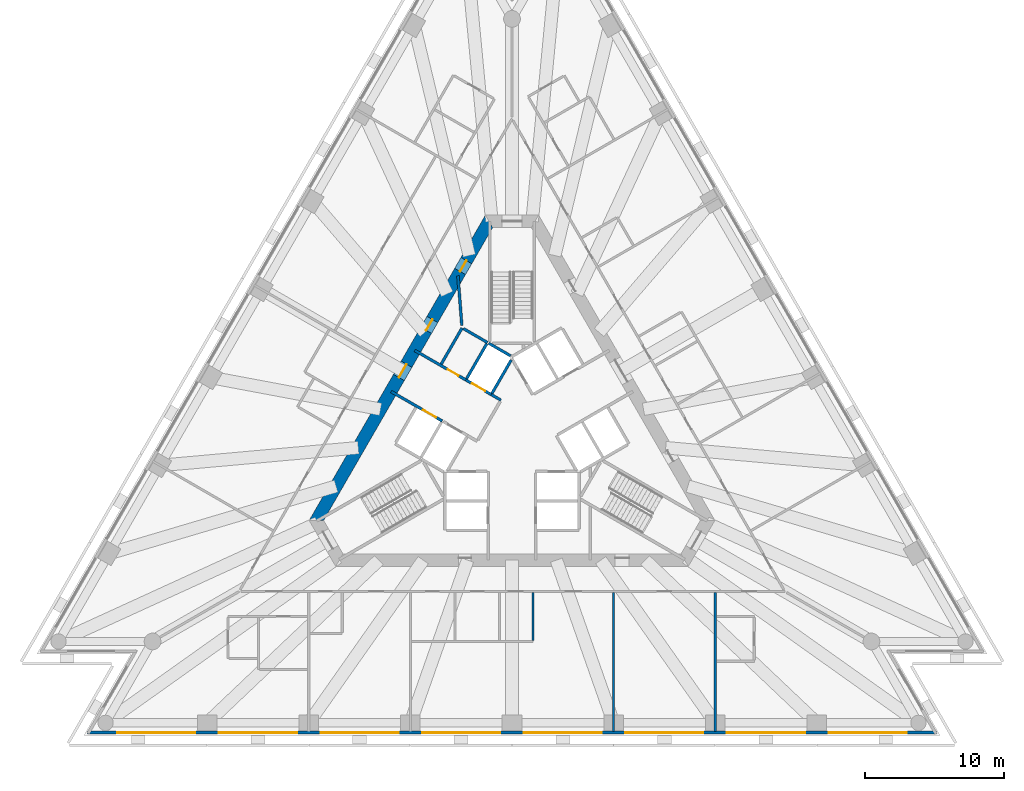
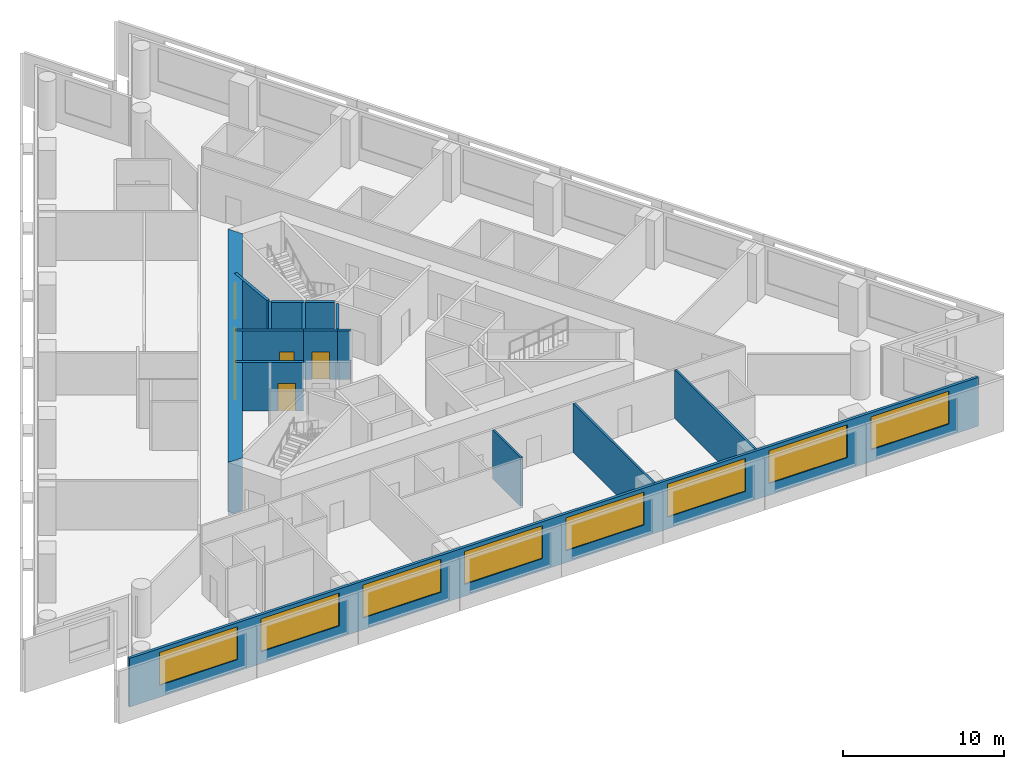
# One storey, part 4 of 11: 15 walls, 8 windows, 6 doors, 14 openings.
"""IFC4 building model written with IfcOpenShell, lengths in metres."""

from ifc_helpers import new_model, si_unit, direction, frame, frame_2d, origin, place, context, subcontext, project, spatial, polyline, rectangle, outline, extrude, material, layer, layer_set, layer_usage, type_object, element, fill, save


model = new_model("IFC4")

# Units and contexts
model_context = context("Model", 3, precision=1e-05, world=origin(), true_north=direction((0.0, 1.0)))
body_context = subcontext(model_context, "Body", "Model", "MODEL_VIEW")
ifc_project = project(units=[si_unit("LENGTHUNIT", "METRE"), si_unit("AREAUNIT", "SQUARE_METRE"), si_unit("VOLUMEUNIT", "CUBIC_METRE"), si_unit("PLANEANGLEUNIT", "RADIAN"), si_unit("MASSUNIT", "GRAM", prefix="KILO")], contexts=[model_context])

# Site, building, storey
site_placement = place(None, origin())
site = spatial("IfcSite", under=ifc_project, at=site_placement, CompositionType="ELEMENT")
building_placement = place(site_placement, origin())
building = spatial("IfcBuilding", under=site, at=building_placement, Name="Triada Interchange Tower", CompositionType="ELEMENT")
storey_placement = place(building_placement, frame((0.0, 0.0, 79.300048828125)))
storey = spatial("IfcBuildingStorey", under=building, at=storey_placement, Name="L17", CompositionType="ELEMENT", Elevation=79.300048828125)

# Wall, opening, door
ifc_material_1 = material(Name="Concrete C30/37", Category="concrete")
ifc_layer_1 = layer(ifc_material_1, 0.199951171875)
ifc_layer_set_1 = layer_set([ifc_layer_1], Name="CORE WALL 200 EI 180")
wall_type_1 = type_object("IfcWallType", Name="CORE WALL 200 EI 180", PredefinedType="SOLIDWALL", material=ifc_layer_set_1)
wall_1_placement = place(storey_placement, frame((-8.669921875, 3.04296875, 0.0), z_axis=(0.0, 0.0, 1.0), x_axis=(0.866029956157, -0.499992114976, 0.0)))
wall_1 = element("IfcWall", 1, at=wall_1_placement, inside=storey, type_object=wall_type_1, Name="Wall L15 74", PredefinedType="SOLIDWALL", context=body_context, shape_type="SweptSolid", body=[
    extrude(rectangle(XDim=4.23193359375, YDim=0.199951171875, at=frame_2d((2.115966796875, 0.0))), origin(), (0.0, 0.0, 1.0), 3.699951171875),
])
opening_1_placement = place(wall_1_placement, frame((2.6298828125, 0.0, 0.0)))
opening_1 = element("IfcOpeningElement", 2, at=opening_1_placement, cuts=wall_1, Name="Opening LD-SV1", PredefinedType="OPENING", context=body_context, shape_type="SweptSolid", body=[
    extrude(rectangle(XDim=1.10009765625, YDim=2.10009765625, at=frame_2d((0.550048828125, 1.050048828125))), frame((0.0, 0.10986328125, 0.0), z_axis=(0.0, -1.0, 0.0), x_axis=(1.0, 0.0, 0.0)), (0.0, 0.0, 1.0), 0.219970703125),
])
ifc_material_2 = material(Name="Steel S235 door leaf", Category="steel")
door_type_1 = type_object("IfcDoorType", Name="LIFT LANDING DOOR 1100 EI 120", OperationType="SLIDING_TO_LEFT", PredefinedType="DOOR", material=ifc_material_2)
door_1_placement = place(opening_1_placement, origin())
door_1 = element("IfcDoor", 3, at=door_1_placement, inside=storey, type_object=door_type_1, Name="SV1 landing door L17", OperationType="SLIDING_TO_LEFT", OverallHeight=2.10009765625, OverallWidth=1.10009765625, PredefinedType="DOOR", context=body_context, shape_type="SweptSolid", body=[
    extrude(rectangle(XDim=1.10009765625, YDim=2.10009765625, at=frame_2d((0.550048828125, 1.050048828125))), frame((0.0, 0.02490234375, 0.0), z_axis=(0.0, -1.0, 0.0), x_axis=(1.0, 0.0, 0.0)), (0.0, 0.0, 1.0), 0.050048828125),
])
fill(opening_1, door_1)

wall_2_placement = place(storey_placement, frame((-6.969970703125, 5.987060546875, 0.0), z_axis=(0.0, 0.0, 1.0), x_axis=(0.866029956157, -0.499992114976, 0.0)))
wall_2 = element("IfcWall", 4, at=wall_2_placement, inside=storey, type_object=wall_type_1, Name="Wall L15 76", PredefinedType="SOLIDWALL", context=body_context, shape_type="SweptSolid", body=[
    extrude(rectangle(XDim=4.23193359375, YDim=0.199951171875, at=frame_2d((2.115966796875, 0.0))), origin(), (0.0, 0.0, 1.0), 3.699951171875),
])
opening_2_placement = place(wall_2_placement, frame((2.72998046875, 0.0, 0.0)))
opening_2 = element("IfcOpeningElement", 5, at=opening_2_placement, cuts=wall_2, Name="Opening D15-10", PredefinedType="OPENING", context=body_context, shape_type="SweptSolid", body=[
    extrude(rectangle(XDim=0.89990234375, YDim=2.10009765625, at=frame_2d((0.449951171875, 1.050048828125))), frame((0.0, 0.10986328125, 0.0), z_axis=(0.0, -1.0, 0.0), x_axis=(1.0, 0.0, 0.0)), (0.0, 0.0, 1.0), 0.219970703125),
])
door_type_2 = type_object("IfcDoorType", Name="SERVICE DOOR 900 EI2 90-C5S200", OperationType="NOTDEFINED", PredefinedType="DOOR", material=ifc_material_2)
door_2_placement = place(opening_2_placement, origin())
door_2 = element("IfcDoor", 6, at=door_2_placement, inside=storey, type_object=door_type_2, Name="Door D15-10 L17", OperationType="SINGLE_SWING_LEFT", OverallHeight=2.10009765625, OverallWidth=0.89990234375, PredefinedType="DOOR", context=body_context, shape_type="SweptSolid", body=[
    extrude(rectangle(XDim=0.89990234375, YDim=2.10009765625, at=frame_2d((0.449951171875, 1.050048828125))), frame((0.0, 0.02490234375, 0.0), z_axis=(0.0, -1.0, 0.0), x_axis=(1.0, 0.0, 0.0)), (0.0, 0.0, 1.0), 0.050048828125),
])
fill(opening_2, door_2)

# Walls
wall_3_placement = place(storey_placement, frame((-1.488037109375, 2.822021484375, 0.0), z_axis=(0.0, 0.0, 1.0), x_axis=(0.866236612152, -0.499633997809, 0.0)))
element("IfcWall", 7, at=wall_3_placement, inside=storey, type_object=wall_type_1, Name="Wall L15 77", PredefinedType="SOLIDWALL", context=body_context, shape_type="SweptSolid", body=[
    extrude(rectangle(XDim=0.79638671875, YDim=0.199951171875, at=frame_2d((0.398193359375, 0.0))), origin(), (0.0, 0.0, 1.0), 3.699951171875),
])
wall_4_placement = place(storey_placement, frame((-5.075927734375, 5.009033203125, 0.0), z_axis=(0.0, 0.0, 1.0), x_axis=(0.500085598968, 0.865975977556, 0.0)))
element("IfcWall", 8, at=wall_4_placement, inside=storey, type_object=wall_type_1, Name="Wall L15 78", PredefinedType="SOLIDWALL", context=body_context, shape_type="SweptSolid", body=[
    extrude(rectangle(XDim=2.9873046875, YDim=0.199951171875, at=frame_2d((1.49365234375, 0.0))), origin(), (0.0, 0.0, 1.0), 3.699951171875),
])
wall_5_placement = place(storey_placement, frame((-3.489013671875, 7.556884765625, 0.0), z_axis=(0.0, 0.0, 1.0), x_axis=(0.866010750942, -0.50002537861, 0.0)))
element("IfcWall", 9, at=wall_5_placement, inside=storey, type_object=wall_type_1, Name="Wall L15 79", PredefinedType="SOLIDWALL", context=body_context, shape_type="SweptSolid", body=[
    extrude(rectangle(XDim=2.0, YDim=0.199951171875, at=frame_2d((1.0, 0.0))), origin(), (0.0, 0.0, 1.0), 3.699951171875),
])

# Wall, opening, door
wall_6_placement = place(storey_placement, frame((-3.30908203125, 3.873046875, 0.0), z_axis=(0.0, 0.0, 1.0), x_axis=(0.866098583652, -0.499873227325, 0.0)))
wall_6 = element("IfcWall", 10, at=wall_6_placement, inside=storey, type_object=wall_type_1, Name="Shaft wall FF2 L15 85", PredefinedType="SOLIDWALL", context=body_context, shape_type="SweptSolid", body=[
    extrude(rectangle(XDim=2.1025390625, YDim=0.199951171875, at=frame_2d((1.05126953125, 0.0))), origin(), (0.0, 0.0, 1.0), 3.699951171875),
])
opening_3_placement = place(wall_6_placement, frame((0.501953125, 0.0, 0.0)))
opening_3 = element("IfcOpeningElement", 11, at=opening_3_placement, cuts=wall_6, Name="Opening LD-FF2", PredefinedType="OPENING", context=body_context, shape_type="SweptSolid", body=[
    extrude(rectangle(XDim=1.10009765625, YDim=2.10009765625, at=frame_2d((0.550048828125, 1.050048828125))), frame((0.0, 0.10986328125, 0.0), z_axis=(0.0, -1.0, 0.0), x_axis=(1.0, 0.0, 0.0)), (0.0, 0.0, 1.0), 0.219970703125),
])
door_3_placement = place(opening_3_placement, origin())
door_3 = element("IfcDoor", 12, at=door_3_placement, inside=storey, type_object=door_type_1, Name="FF2 landing door L17", OperationType="SLIDING_TO_LEFT", OverallHeight=2.10009765625, OverallWidth=1.10009765625, PredefinedType="DOOR", context=body_context, shape_type="SweptSolid", body=[
    extrude(rectangle(XDim=1.10009765625, YDim=2.10009765625, at=frame_2d((0.550048828125, 1.050048828125))), frame((0.0, 0.02490234375, 0.0), z_axis=(0.0, -1.0, 0.0), x_axis=(1.0, 0.0, 0.0)), (0.0, 0.0, 1.0), 0.050048828125),
])
fill(opening_3, door_3)

# Walls
wall_7_placement = place(storey_placement, frame((-3.257080078125, 3.958984375, 0.0), z_axis=(0.0, 0.0, 1.0), x_axis=(0.50012328804, 0.865954211699, 0.0)))
element("IfcWall", 13, at=wall_7_placement, inside=storey, type_object=wall_type_1, Name="Shaft wall FF2 L15 86", PredefinedType="SOLIDWALL", context=body_context, shape_type="SweptSolid", body=[
    extrude(rectangle(XDim=2.899658203125, YDim=0.199951171875, at=frame_2d((1.44970703125, 0.0))), origin(), (0.0, 0.0, 1.0), 3.699951171875),
])
wall_8_placement = place(storey_placement, frame((-1.669921875, 6.507080078125, 0.0), z_axis=(0.0, 0.0, 1.0), x_axis=(0.865941441609, -0.500145398563, 0.0)))
element("IfcWall", 14, at=wall_8_placement, inside=storey, type_object=wall_type_1, Name="Shaft wall FF2 L15 87", PredefinedType="SOLIDWALL", context=body_context, shape_type="SweptSolid", body=[
    extrude(rectangle(XDim=1.8154296875, YDim=0.199951171875, at=frame_2d((0.90771484375, 0.0))), origin(), (0.0, 0.0, 1.0), 3.699951171875),
])
wall_9_placement = place(storey_placement, frame((-1.43798828125, 2.908935546875, 0.0), z_axis=(0.0, 0.0, 1.0), x_axis=(0.499829630636, 0.866123744241, 0.0)))
element("IfcWall", 15, at=wall_9_placement, inside=storey, type_object=wall_type_1, Name="Shaft wall FF2 L15 88", PredefinedType="SOLIDWALL", context=body_context, shape_type="SweptSolid", body=[
    extrude(rectangle(XDim=2.7607421875, YDim=0.199951171875, at=frame_2d((1.38037109375, 0.0))), origin(), (0.0, 0.0, 1.0), 3.699951171875),
])
ifc_layer_2 = layer(ifc_material_1, 0.199951171875)
ifc_layer_set_2 = layer_set([ifc_layer_2], Name="CORE WALL 200 EI 90")
wall_type_2 = type_object("IfcWallType", Name="CORE WALL 200 EI 90", PredefinedType="SOLIDWALL", material=ifc_layer_set_2)
wall_10_placement = place(storey_placement, frame((-3.876953125, 11.344970703125, 0.0), z_axis=(0.0, 0.0, 1.0), x_axis=(0.078070537984, -0.996947837702, 0.0)))
element("IfcWall", 16, at=wall_10_placement, inside=storey, type_object=wall_type_2, Name="Wall L15 89", PredefinedType="SOLIDWALL", context=body_context, shape_type="SweptSolid", body=[
    extrude(rectangle(XDim=3.5869140625, YDim=0.199951171875, at=frame_2d((1.79345703125, 0.0))), origin(), (0.0, 0.0, 1.0), 3.699951171875),
])

# Wall, openings, doors
ifc_material_3 = material(Name="Concrete C70/85", Category="concrete")
ifc_layer_3 = layer(ifc_material_3, 0.89990234375)
ifc_layer_set_3 = layer_set([ifc_layer_3], Name="Core wall A 900")
wall_type_3 = type_object("IfcWallType", Name="Core wall A 900", PredefinedType="SHEAR", material=ifc_layer_set_3)
wall_11_placement = place(storey_placement, frame((-1.64501953125, 15.25, -0.300048828125), z_axis=(0.0, 0.0, 1.0), x_axis=(-0.500026485275, -0.866010111964, 0.0)))
wall_11 = element("IfcWall", 17, at=wall_11_placement, inside=storey, type_object=wall_type_3, Name="Core wall WA02 L17", PredefinedType="SHEAR", context=body_context, shape_type="SweptSolid", body=[
    extrude(outline(polyline([(-0.260009765625, -0.449951171875), (1.685302734375, -0.449951171875), (3.63037109375, -0.44970703125), (5.57568359375, -0.44970703125), (7.52099609375, -0.44970703125), (9.466064453125, -0.449462890625), (11.411376953125, -0.449462890625), (13.356689453125, -0.449462890625), (15.302001953125, -0.449462890625), (17.2470703125, -0.44921875), (19.1923828125, -0.44921875), (21.1376953125, -0.44921875), (23.082763671875, -0.448974609375), (25.028076171875, -0.448974609375), (24.509033203125, 0.449951171875), (22.643798828125, 0.449951171875), (20.7783203125, 0.44970703125), (18.9130859375, 0.44970703125), (17.0478515625, 0.44970703125), (15.182373046875, 0.449462890625), (13.317138671875, 0.449462890625), (11.451904296875, 0.449462890625), (9.586669921875, 0.449462890625), (7.72119140625, 0.44921875), (5.85595703125, 0.44921875), (3.99072265625, 0.44921875), (2.125244140625, 0.448974609375), (0.260009765625, 0.448974609375), (-0.260009765625, -0.449951171875)])), origin(), (0.0, 0.0, 1.0), 4.0),
])
opening_4_placement = place(wall_11_placement, frame((11.833984375, 0.0, 0.300048828125)))
opening_4 = element("IfcOpeningElement", 18, at=opening_4_placement, cuts=wall_11, Name="Opening D15-47", PredefinedType="OPENING", context=body_context, shape_type="SweptSolid", body=[
    extrude(rectangle(XDim=1.10009765625, YDim=2.10009765625, at=frame_2d((0.550048828125, 1.050048828125))), frame((0.0, 0.4599609375, 0.0), z_axis=(0.0, -1.0, 0.0), x_axis=(1.0, 0.0, 0.0)), (0.0, 0.0, 1.0), 0.919921875),
])
opening_5_placement = place(wall_11_placement, frame((8.1298828125, 0.0, 0.300048828125)))
opening_5 = element("IfcOpeningElement", 19, at=opening_5_placement, cuts=wall_11, Name="Opening D15-51", PredefinedType="OPENING", context=body_context, shape_type="SweptSolid", body=[
    extrude(rectangle(XDim=0.89990234375, YDim=2.10009765625, at=frame_2d((0.449951171875, 1.050048828125))), frame((0.0, 0.4599609375, 0.0), z_axis=(0.0, -1.0, 0.0), x_axis=(1.0, 0.0, 0.0)), (0.0, 0.0, 1.0), 0.919921875),
])
opening_6_placement = place(wall_11_placement, frame((3.2548828125, 0.0, 0.300048828125)))
opening_6 = element("IfcOpeningElement", 20, at=opening_6_placement, cuts=wall_11, Name="Opening D15-52", PredefinedType="OPENING", context=body_context, shape_type="SweptSolid", body=[
    extrude(rectangle(XDim=0.89990234375, YDim=2.10009765625, at=frame_2d((0.449951171875, 1.050048828125))), frame((0.0, 0.4599609375, 0.0), z_axis=(0.0, -1.0, 0.0), x_axis=(1.0, 0.0, 0.0)), (0.0, 0.0, 1.0), 0.919921875),
])
door_type_3 = type_object("IfcDoorType", Name="FIRE LOBBY DOOR 1100 EI2 90-C5S200", OperationType="NOTDEFINED", PredefinedType="DOOR", material=ifc_material_2)
door_4_placement = place(opening_4_placement, origin())
door_4 = element("IfcDoor", 21, at=door_4_placement, inside=storey, type_object=door_type_3, Name="Door D15-47 L17", OperationType="SINGLE_SWING_LEFT", OverallHeight=2.10009765625, OverallWidth=1.10009765625, PredefinedType="DOOR", context=body_context, shape_type="SweptSolid", body=[
    extrude(rectangle(XDim=1.10009765625, YDim=2.10009765625, at=frame_2d((0.550048828125, 1.050048828125))), frame((0.0, 0.02490234375, 0.0), z_axis=(0.0, -1.0, 0.0), x_axis=(1.0, 0.0, 0.0)), (0.0, 0.0, 1.0), 0.050048828125),
])
fill(opening_4, door_4)
door_type_4 = type_object("IfcDoorType", Name="RISER ACCESS DOOR 900 EI2 45-C5S200", OperationType="NOTDEFINED", PredefinedType="DOOR", material=ifc_material_2)
door_5_placement = place(opening_6_placement, origin())
door_5 = element("IfcDoor", 22, at=door_5_placement, inside=storey, type_object=door_type_4, Name="Door D15-52 L17", OperationType="SINGLE_SWING_LEFT", OverallHeight=2.10009765625, OverallWidth=0.89990234375, PredefinedType="DOOR", context=body_context, shape_type="SweptSolid", body=[
    extrude(rectangle(XDim=0.89990234375, YDim=2.10009765625, at=frame_2d((0.449951171875, 1.050048828125))), frame((0.0, 0.02490234375, 0.0), z_axis=(0.0, -1.0, 0.0), x_axis=(1.0, 0.0, 0.0)), (0.0, 0.0, 1.0), 0.050048828125),
])
fill(opening_6, door_5)
door_type_5 = type_object("IfcDoorType", Name="SERVICE DOOR 900 EI2 45-C5S200", OperationType="NOTDEFINED", PredefinedType="DOOR", material=ifc_material_2)
door_6_placement = place(opening_5_placement, origin())
door_6 = element("IfcDoor", 23, at=door_6_placement, inside=storey, type_object=door_type_5, Name="Door D15-51 L17", OperationType="SINGLE_SWING_LEFT", OverallHeight=2.10009765625, OverallWidth=0.89990234375, PredefinedType="DOOR", context=body_context, shape_type="SweptSolid", body=[
    extrude(rectangle(XDim=0.89990234375, YDim=2.10009765625, at=frame_2d((0.449951171875, 1.050048828125))), frame((0.0, 0.02490234375, 0.0), z_axis=(0.0, -1.0, 0.0), x_axis=(1.0, 0.0, 0.0)), (0.0, 0.0, 1.0), 0.050048828125),
])
fill(opening_5, door_6)

# Wall, openings, windows
ifc_material_4 = material(Name="Cement board")
ifc_layer_4 = layer(ifc_material_4, 0.02001953125, Name="Cement board cladding")
ifc_material_5 = material(Name="Sheathing board")
ifc_layer_5 = layer(ifc_material_5, 0.014892578125, Name="Sheathing board")
ifc_material_6 = material(Name="Mineral wool")
ifc_layer_6 = layer(ifc_material_6, 0.14990234375, Name="Mineral wool between steel studs")
ifc_material_7 = material(Name="Gypsum board")
ifc_layer_7 = layer(ifc_material_7, 0.014892578125, Name="Plasterboard lining")
ifc_layer_set_4 = layer_set([ifc_layer_4, ifc_layer_5, ifc_layer_6, ifc_layer_7], Name="External wall 200")
ifc_layer_usage = layer_usage(ifc_layer_set_4, "AXIS2", "POSITIVE", -0.10009765625)
wall_type_4 = type_object("IfcWallType", Name="External wall 200", PredefinedType="ELEMENTEDWALL", material=ifc_layer_set_4)
wall_12_placement = place(storey_placement, frame((-30.452880859375, -21.422119140625, 0.0), z_axis=(0.0, 0.0, 1.0), x_axis=(1.0, 0.0, 0.0)))
wall_12 = element("IfcWall", 24, at=wall_12_placement, inside=storey, type_object=wall_type_4, material=ifc_layer_usage, Name="External wall L17 S", PredefinedType="ELEMENTEDWALL", context=body_context, shape_type="SweptSolid", body=[
    extrude(rectangle(XDim=60.885986328125, YDim=0.199951171875, at=frame_2d((30.44287109375, 0.0))), origin(), (0.0, 0.0, 1.0), 3.699951171875),
])
opening_7_placement = place(wall_12_placement, frame((2.14697265625, 0.0, 0.89990234375)))
opening_7 = element("IfcOpeningElement", 25, at=opening_7_placement, cuts=wall_12, Name="Opening WA11", PredefinedType="OPENING", context=body_context, shape_type="SweptSolid", body=[
    extrude(rectangle(XDim=5.60009765625, YDim=2.5, at=frame_2d((2.800048828125, 1.25))), frame((0.0, 0.10986328125, 0.0), z_axis=(0.0, -1.0, 0.0), x_axis=(1.0, 0.0, 0.0)), (0.0, 0.0, 1.0), 0.219970703125),
])
opening_8_placement = place(wall_12_placement, frame((9.43408203125, 0.0, 0.89990234375)))
opening_8 = element("IfcOpeningElement", 26, at=opening_8_placement, cuts=wall_12, Name="Opening WA12", PredefinedType="OPENING", context=body_context, shape_type="SweptSolid", body=[
    extrude(rectangle(XDim=5.60009765625, YDim=2.5, at=frame_2d((2.800048828125, 1.25))), frame((0.0, 0.10986328125, 0.0), z_axis=(0.0, -1.0, 0.0), x_axis=(1.0, 0.0, 0.0)), (0.0, 0.0, 1.0), 0.219970703125),
])
opening_9_placement = place(wall_12_placement, frame((16.721923828125, 0.0, 0.89990234375)))
opening_9 = element("IfcOpeningElement", 27, at=opening_9_placement, cuts=wall_12, Name="Opening WA13", PredefinedType="OPENING", context=body_context, shape_type="SweptSolid", body=[
    extrude(rectangle(XDim=5.60009765625, YDim=2.5, at=frame_2d((2.800048828125, 1.25))), frame((0.0, 0.10986328125, 0.0), z_axis=(0.0, -1.0, 0.0), x_axis=(1.0, 0.0, 0.0)), (0.0, 0.0, 1.0), 0.219970703125),
])
opening_10_placement = place(wall_12_placement, frame((24.009033203125, 0.0, 0.89990234375)))
opening_10 = element("IfcOpeningElement", 28, at=opening_10_placement, cuts=wall_12, Name="Opening WA14", PredefinedType="OPENING", context=body_context, shape_type="SweptSolid", body=[
    extrude(rectangle(XDim=5.60009765625, YDim=2.5, at=frame_2d((2.800048828125, 1.25))), frame((0.0, 0.10986328125, 0.0), z_axis=(0.0, -1.0, 0.0), x_axis=(1.0, 0.0, 0.0)), (0.0, 0.0, 1.0), 0.219970703125),
])
opening_11_placement = place(wall_12_placement, frame((31.297119140625, 0.0, 0.89990234375)))
opening_11 = element("IfcOpeningElement", 29, at=opening_11_placement, cuts=wall_12, Name="Opening WA15", PredefinedType="OPENING", context=body_context, shape_type="SweptSolid", body=[
    extrude(rectangle(XDim=5.60009765625, YDim=2.5, at=frame_2d((2.800048828125, 1.25))), frame((0.0, 0.10986328125, 0.0), z_axis=(0.0, -1.0, 0.0), x_axis=(1.0, 0.0, 0.0)), (0.0, 0.0, 1.0), 0.219970703125),
])
opening_12_placement = place(wall_12_placement, frame((38.583984375, 0.0, 0.89990234375)))
opening_12 = element("IfcOpeningElement", 30, at=opening_12_placement, cuts=wall_12, Name="Opening WA16", PredefinedType="OPENING", context=body_context, shape_type="SweptSolid", body=[
    extrude(rectangle(XDim=5.60009765625, YDim=2.5, at=frame_2d((2.800048828125, 1.25))), frame((0.0, 0.10986328125, 0.0), z_axis=(0.0, -1.0, 0.0), x_axis=(1.0, 0.0, 0.0)), (0.0, 0.0, 1.0), 0.219970703125),
])
opening_13_placement = place(wall_12_placement, frame((45.8720703125, 0.0, 0.89990234375)))
opening_13 = element("IfcOpeningElement", 31, at=opening_13_placement, cuts=wall_12, Name="Opening WA17", PredefinedType="OPENING", context=body_context, shape_type="SweptSolid", body=[
    extrude(rectangle(XDim=5.60009765625, YDim=2.5, at=frame_2d((2.800048828125, 1.25))), frame((0.0, 0.10986328125, 0.0), z_axis=(0.0, -1.0, 0.0), x_axis=(1.0, 0.0, 0.0)), (0.0, 0.0, 1.0), 0.219970703125),
])
opening_14_placement = place(wall_12_placement, frame((53.158935546875, 0.0, 0.89990234375)))
opening_14 = element("IfcOpeningElement", 32, at=opening_14_placement, cuts=wall_12, Name="Opening WA18", PredefinedType="OPENING", context=body_context, shape_type="SweptSolid", body=[
    extrude(rectangle(XDim=5.60009765625, YDim=2.5, at=frame_2d((2.800048828125, 1.25))), frame((0.0, 0.10986328125, 0.0), z_axis=(0.0, -1.0, 0.0), x_axis=(1.0, 0.0, 0.0)), (0.0, 0.0, 1.0), 0.219970703125),
])
ifc_material_8 = material(Name="Double glazed aluminium window", Category="aluminium")
window_type = type_object("IfcWindowType", Name="Ribbon window A face", PartitioningType="SINGLE_PANEL", PredefinedType="WINDOW", material=ifc_material_8)
window_1_placement = place(opening_7_placement, origin())
window_1 = element("IfcWindow", 33, at=window_1_placement, inside=storey, type_object=window_type, Name="Window L17 S 1", OverallHeight=2.5, OverallWidth=5.60009765625, PartitioningType="SINGLE_PANEL", PredefinedType="WINDOW", context=body_context, shape_type="SweptSolid", body=[
    extrude(rectangle(XDim=5.60009765625, YDim=2.5, at=frame_2d((2.800048828125, 1.25))), frame((0.0, 0.030029296875, 0.0), z_axis=(0.0, -1.0, 0.0), x_axis=(1.0, 0.0, 0.0)), (0.0, 0.0, 1.0), 0.06005859375),
])
fill(opening_7, window_1)
window_2_placement = place(opening_8_placement, origin())
window_2 = element("IfcWindow", 34, at=window_2_placement, inside=storey, type_object=window_type, Name="Window L17 S 2", OverallHeight=2.5, OverallWidth=5.60009765625, PartitioningType="SINGLE_PANEL", PredefinedType="WINDOW", context=body_context, shape_type="SweptSolid", body=[
    extrude(rectangle(XDim=5.60009765625, YDim=2.5, at=frame_2d((2.800048828125, 1.25))), frame((0.0, 0.030029296875, 0.0), z_axis=(0.0, -1.0, 0.0), x_axis=(1.0, 0.0, 0.0)), (0.0, 0.0, 1.0), 0.06005859375),
])
fill(opening_8, window_2)
window_3_placement = place(opening_9_placement, origin())
window_3 = element("IfcWindow", 35, at=window_3_placement, inside=storey, type_object=window_type, Name="Window L17 S 3", OverallHeight=2.5, OverallWidth=5.60009765625, PartitioningType="SINGLE_PANEL", PredefinedType="WINDOW", context=body_context, shape_type="SweptSolid", body=[
    extrude(rectangle(XDim=5.60009765625, YDim=2.5, at=frame_2d((2.800048828125, 1.25))), frame((0.0, 0.030029296875, 0.0), z_axis=(0.0, -1.0, 0.0), x_axis=(1.0, 0.0, 0.0)), (0.0, 0.0, 1.0), 0.06005859375),
])
fill(opening_9, window_3)
window_4_placement = place(opening_10_placement, origin())
window_4 = element("IfcWindow", 36, at=window_4_placement, inside=storey, type_object=window_type, Name="Window L17 S 4", OverallHeight=2.5, OverallWidth=5.60009765625, PartitioningType="SINGLE_PANEL", PredefinedType="WINDOW", context=body_context, shape_type="SweptSolid", body=[
    extrude(rectangle(XDim=5.60009765625, YDim=2.5, at=frame_2d((2.800048828125, 1.25))), frame((0.0, 0.030029296875, 0.0), z_axis=(0.0, -1.0, 0.0), x_axis=(1.0, 0.0, 0.0)), (0.0, 0.0, 1.0), 0.06005859375),
])
fill(opening_10, window_4)
window_5_placement = place(opening_11_placement, origin())
window_5 = element("IfcWindow", 37, at=window_5_placement, inside=storey, type_object=window_type, Name="Window L17 S 5", OverallHeight=2.5, OverallWidth=5.60009765625, PartitioningType="SINGLE_PANEL", PredefinedType="WINDOW", context=body_context, shape_type="SweptSolid", body=[
    extrude(rectangle(XDim=5.60009765625, YDim=2.5, at=frame_2d((2.800048828125, 1.25))), frame((0.0, 0.030029296875, 0.0), z_axis=(0.0, -1.0, 0.0), x_axis=(1.0, 0.0, 0.0)), (0.0, 0.0, 1.0), 0.06005859375),
])
fill(opening_11, window_5)
window_6_placement = place(opening_12_placement, origin())
window_6 = element("IfcWindow", 38, at=window_6_placement, inside=storey, type_object=window_type, Name="Window L17 S 6", OverallHeight=2.5, OverallWidth=5.60009765625, PartitioningType="SINGLE_PANEL", PredefinedType="WINDOW", context=body_context, shape_type="SweptSolid", body=[
    extrude(rectangle(XDim=5.60009765625, YDim=2.5, at=frame_2d((2.800048828125, 1.25))), frame((0.0, 0.030029296875, 0.0), z_axis=(0.0, -1.0, 0.0), x_axis=(1.0, 0.0, 0.0)), (0.0, 0.0, 1.0), 0.06005859375),
])
fill(opening_12, window_6)
window_7_placement = place(opening_13_placement, origin())
window_7 = element("IfcWindow", 39, at=window_7_placement, inside=storey, type_object=window_type, Name="Window L17 S 7", OverallHeight=2.5, OverallWidth=5.60009765625, PartitioningType="SINGLE_PANEL", PredefinedType="WINDOW", context=body_context, shape_type="SweptSolid", body=[
    extrude(rectangle(XDim=5.60009765625, YDim=2.5, at=frame_2d((2.800048828125, 1.25))), frame((0.0, 0.030029296875, 0.0), z_axis=(0.0, -1.0, 0.0), x_axis=(1.0, 0.0, 0.0)), (0.0, 0.0, 1.0), 0.06005859375),
])
fill(opening_13, window_7)
window_8_placement = place(opening_14_placement, origin())
window_8 = element("IfcWindow", 40, at=window_8_placement, inside=storey, type_object=window_type, Name="Window L17 S 8", OverallHeight=2.5, OverallWidth=5.60009765625, PartitioningType="SINGLE_PANEL", PredefinedType="WINDOW", context=body_context, shape_type="SweptSolid", body=[
    extrude(rectangle(XDim=5.60009765625, YDim=2.5, at=frame_2d((2.800048828125, 1.25))), frame((0.0, 0.030029296875, 0.0), z_axis=(0.0, -1.0, 0.0), x_axis=(1.0, 0.0, 0.0)), (0.0, 0.0, 1.0), 0.06005859375),
])
fill(opening_14, window_8)

# Walls
ifc_material_9 = material(Name="Gypsum board partition")
ifc_layer_8 = layer(ifc_material_9, 0.14990234375)
ifc_layer_set_5 = layer_set([ifc_layer_8], Name="PARTITION 150 EI 180")
wall_type_5 = type_object("IfcWallType", Name="PARTITION 150 EI 180", PredefinedType="PARTITIONING", material=ifc_layer_set_5)
wall_13_placement = place(storey_placement, frame((1.511962890625, -14.824951171875, 0.0), z_axis=(0.0, 0.0, 1.0), x_axis=(0.0, 1.0, 0.0)))
element("IfcWall", 41, at=wall_13_placement, inside=storey, type_object=wall_type_5, Name="Wall L15 18", PredefinedType="PARTITIONING", context=body_context, shape_type="SweptSolid", body=[
    extrude(rectangle(XDim=3.449951171875, YDim=0.14990234375, at=frame_2d((1.72509765625, 0.0))), origin(), (0.0, 0.0, 1.0), 3.699951171875),
])
for number, where, z_axis, x_axis, name in (
    (42, (7.2880859375, -21.342041015625, 0.0), (0.0, 0.0, 1.0), (0.0, 1.0, 0.0), "Wall L15 26"),
    (43, (14.574951171875, -21.342041015625, 0.0), (0.0, 0.0, 1.0), (0.0, 1.0, 0.0), "Wall L15 32"),
):
    element("IfcWall", number, at=place(storey_placement, frame(where, z_axis=z_axis, x_axis=x_axis)), inside=storey, type_object=wall_type_5, Name=name, PredefinedType="PARTITIONING", context=body_context, shape_type="SweptSolid", body=[
        extrude(rectangle(XDim=9.967041015625, YDim=0.14990234375, at=frame_2d((4.9833984375, 0.0))), origin(), (0.0, 0.0, 1.0), 3.699951171875),
    ])

save(model, "model.ifc")
